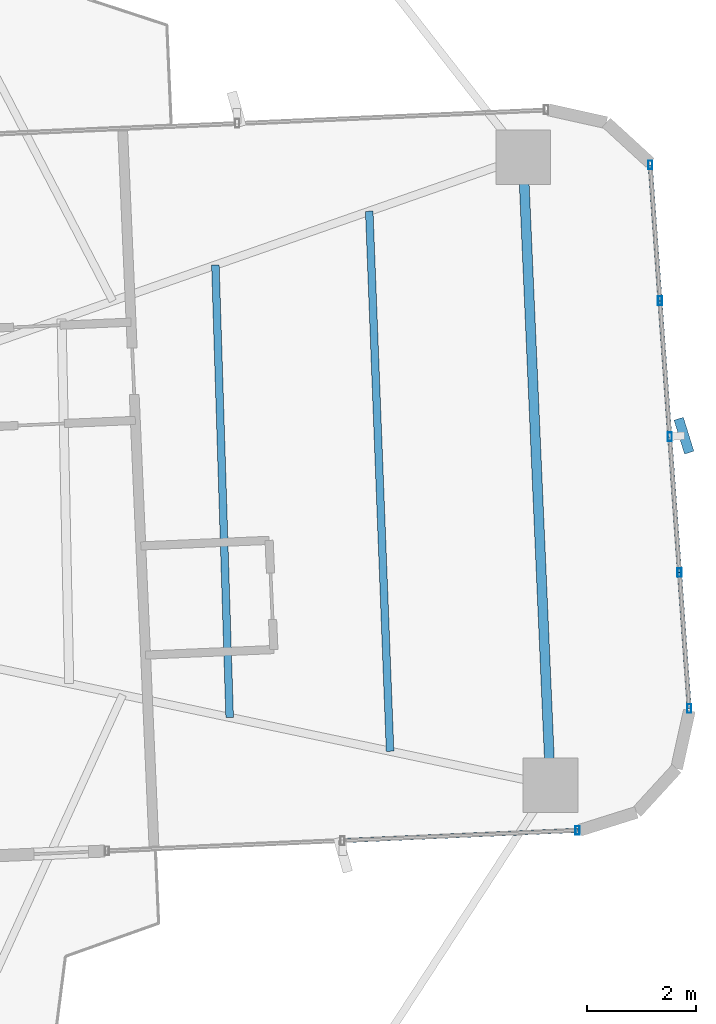
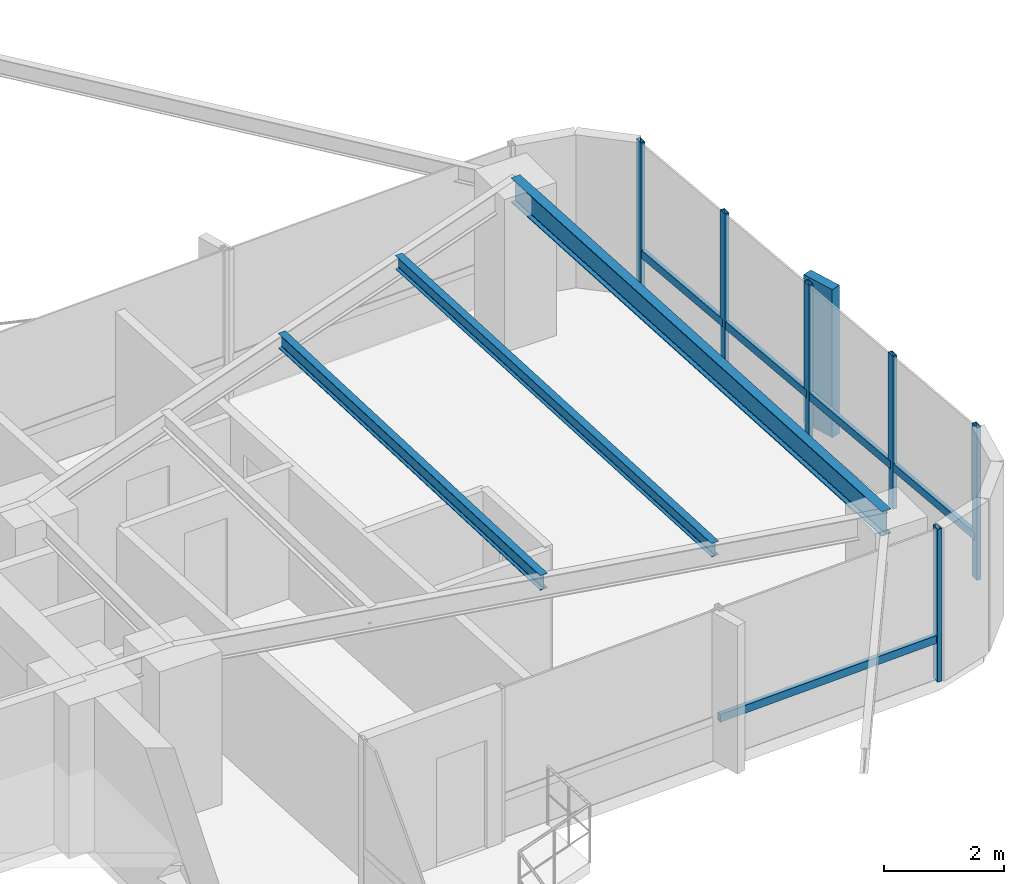
# One storey, part 15 of 26: 12 members, 3 beams, 2 elements without a shape of their own.
"""IFC4 building model written with IfcOpenShell, lengths in metres."""

import ifcopenshell
import ifcopenshell.guid

model = None  # the IFC model being written
_history = None  # IfcOwnerHistory: only IFC2X3 demands one
_inside = {}  # id of a spatial element -> (the spatial element, [elements in it])
_under = {}  # id of a project, library or spatial element -> (it, [spatial elements below it])
_declared = {}  # id of a project -> (the project, [libraries it declares])
_typed = {}  # id of a type object -> (the type object, [elements of that type])
_made_of = {}  # id of a material, layer set ... -> (it, [elements and type objects made of it])


def new_model(schema):
    """Start an empty IFC model of exactly this schema.

    Asked for "IFC4X3", IfcOpenShell would pick the latest addendum, in which some entities
    have other attributes; the version numbers below select the first issue.
    IFC2X3 requires an IfcOwnerHistory on every rooted entity: one is made here for all.
    """
    global model, _history
    if schema == "IFC4X3":
        model = ifcopenshell.file(schema_version=(4, 3, 0, 0))
    else:
        model = ifcopenshell.file(schema=schema)
    _inside.clear()
    _under.clear()
    _declared.clear()
    _typed.clear()
    _made_of.clear()
    _history = None
    if model.schema == "IFC2X3":
        org = make("IfcOrganization", Name="unknown")
        user = make(
            "IfcPersonAndOrganization",
            ThePerson=make("IfcPerson", FamilyName="unknown"),
            TheOrganization=org,
        )
        app = make(
            "IfcApplication",
            ApplicationDeveloper=org,
            Version="unknown",
            ApplicationFullName="unknown",
            ApplicationIdentifier="unknown",
        )
        _history = make(
            "IfcOwnerHistory",
            OwningUser=user,
            OwningApplication=app,
            ChangeAction="ADDED",
            CreationDate=0,
        )
    return model


def make(cls, **values):
    """One entity of the class cls with the attributes given. An attribute that is None is left unset."""
    return model.create_entity(
        cls, **{name: value for name, value in values.items() if value is not None}
    )


def rooted(cls, **values):
    """An entity with a GlobalId (a new one), such as an element, a storey or a relation."""
    return make(cls, GlobalId=ifcopenshell.guid.new(), OwnerHistory=_history, **values)


def si_unit(unit_type, name, prefix=None):
    """IfcSIUnit, for example si_unit("LENGTHUNIT", "METRE", prefix="MILLI")."""
    return make("IfcSIUnit", UnitType=unit_type, Prefix=prefix, Name=name)


def assignment(units):
    """IfcUnitAssignment: the units of a project."""
    return None if units is None else make("IfcUnitAssignment", Units=units)


def point(xyz):
    """IfcCartesianPoint."""
    return None if xyz is None else make("IfcCartesianPoint", Coordinates=xyz)


def direction(xyz):
    """IfcDirection."""
    return None if xyz is None else make("IfcDirection", DirectionRatios=xyz)


def frame(location, z_axis=None, x_axis=None):
    """IfcAxis2Placement3D, a coordinate frame: its origin and axes. An axis left out is left unset."""
    return make(
        "IfcAxis2Placement3D",
        Location=point(location),
        Axis=direction(z_axis),
        RefDirection=direction(x_axis),
    )


def frame_2d(location, x_axis=None):
    """IfcAxis2Placement2D, a coordinate frame in the plane: its origin and x axis."""
    return make(
        "IfcAxis2Placement2D", Location=point(location), RefDirection=direction(x_axis)
    )


def origin():
    """The frame at (0, 0, 0) with its axes left unset."""
    return frame((0.0, 0.0, 0.0))


def origin_2d():
    """The frame at (0, 0) in the plane with its x axis left unset."""
    return frame_2d((0.0, 0.0))


def place(relative_to, where):
    """IfcLocalPlacement: puts the frame where relative to a parent placement (None: the world)."""
    return make(
        "IfcLocalPlacement", PlacementRelTo=relative_to, RelativePlacement=where
    )


def context(
    kind, dimensions, precision=None, world=None, true_north=None, identifier=None
):
    """IfcGeometricRepresentationContext, for example the 3D "Model" context."""
    return make(
        "IfcGeometricRepresentationContext",
        ContextIdentifier=identifier,
        ContextType=kind,
        CoordinateSpaceDimension=dimensions,
        Precision=precision,
        WorldCoordinateSystem=world,
        TrueNorth=true_north,
    )


def subcontext(parent, identifier, kind, view, scale=None):
    """IfcGeometricRepresentationSubContext, for example "Body" below "Model"."""
    return make(
        "IfcGeometricRepresentationSubContext",
        ContextIdentifier=identifier,
        ContextType=kind,
        ParentContext=parent,
        TargetScale=scale,
        TargetView=view,
    )


def project(units=None, contexts=None):
    """IfcProject with its units and contexts."""
    return rooted(
        "IfcProject",
        Name="project",
        RepresentationContexts=contexts,
        UnitsInContext=assignment(units),
    )


def spatial(cls, under=None, at=None, **own):
    """A site, building, storey or space (cls), placed at a placement, below another one or the project."""
    s = rooted(cls, ObjectPlacement=at, **own)
    if under is not None:
        _under.setdefault(under.id(), (under, []))[1].append(s)
    return s


def profile(cls, at=None, kind="AREA", **sizes):
    """A parametric profile (cls). Its sizes go by their IFC names, for example OverallWidth=200.0."""
    return make(cls, ProfileType=kind, Position=at, **sizes)


def rectangle(**sizes):
    """IfcRectangleProfileDef."""
    return profile("IfcRectangleProfileDef", **sizes)


def hollow_rectangle(**sizes):
    """IfcRectangleHollowProfileDef."""
    return profile("IfcRectangleHollowProfileDef", **sizes)


def i_section(**sizes):
    """IfcIShapeProfileDef."""
    return profile("IfcIShapeProfileDef", **sizes)


def extrude(swept, where, along, depth):
    """IfcExtrudedAreaSolid: the profile swept, set in the frame where, extruded along a direction by depth."""
    return make(
        "IfcExtrudedAreaSolid",
        SweptArea=swept,
        Position=where,
        ExtrudedDirection=direction(along),
        Depth=depth,
    )


def shape(context_of_items, identifier, shape_type, items):
    """IfcShapeRepresentation: the items that make up one representation, for example the "Body"."""
    return make(
        "IfcShapeRepresentation",
        ContextOfItems=context_of_items,
        RepresentationIdentifier=identifier,
        RepresentationType=shape_type,
        Items=items,
    )


def source(mapping_origin, context_of_items, identifier, shape_type, items):
    """IfcRepresentationMap: a shape defined once, which mapped items show again and again."""
    return make(
        "IfcRepresentationMap",
        MappingOrigin=mapping_origin,
        MappedRepresentation=shape(context_of_items, identifier, shape_type, items),
    )


def transform(
    local_origin,
    x_axis=None,
    y_axis=None,
    z_axis=None,
    scale=None,
    scale2=None,
    scale3=None,
    uniform=True,
):
    """IfcCartesianTransformationOperator3D, or its non-uniform kind. x_axis, y_axis, z_axis: its Axis1, 2, 3."""
    if uniform:
        return make(
            "IfcCartesianTransformationOperator3D",
            Axis1=direction(x_axis),
            Axis2=direction(y_axis),
            LocalOrigin=point(local_origin),
            Scale=scale,
            Axis3=direction(z_axis),
        )
    return make(
        "IfcCartesianTransformationOperator3DnonUniform",
        Axis1=direction(x_axis),
        Axis2=direction(y_axis),
        LocalOrigin=point(local_origin),
        Scale=scale,
        Axis3=direction(z_axis),
        Scale2=scale2,
        Scale3=scale3,
    )


def mapped(mapping_source, mapping_target):
    """IfcMappedItem: shows the shape of a source again, moved by a transform."""
    return make(
        "IfcMappedItem", MappingSource=mapping_source, MappingTarget=mapping_target
    )


def material(Name=None, Category=None):
    """IfcMaterial."""
    return make("IfcMaterial", Name=Name, Category=Category)


def material_profile(
    of_material, cross_section, Name=None, Category=None, Priority=None
):
    """IfcMaterialProfile: a cross section and its material."""
    return make(
        "IfcMaterialProfile",
        Name=Name,
        Material=of_material,
        Profile=cross_section,
        Priority=Priority,
        Category=Category,
    )


def profile_set(profiles, Name=None, composite=None):
    """IfcMaterialProfileSet."""
    return make(
        "IfcMaterialProfileSet",
        Name=Name,
        MaterialProfiles=profiles,
        CompositeProfile=composite,
    )


def made_of(thing, what):
    """Note that an element or type object is made of a material, layer set ...; save() writes the relation."""
    if what is not None:
        _made_of.setdefault(what.id(), (what, []))[1].append(thing)
    return thing


def type_object(cls, material=None, **own):
    """A type object (cls), such as IfcWallType, which elements share."""
    return made_of(rooted(cls, **own), material)


def element(
    cls,
    number,
    at=None,
    inside=None,
    cuts=None,
    type_object=None,
    material=None,
    context=None,
    identifier="Body",
    shape_type=None,
    held_by="IfcProductDefinitionShape",
    body=None,
    shapes=None,
    **own,
):
    """One element of the class cls, such as IfcWall. Its Tag is "e" and its number.

    at: its placement. inside: the storey or other place that contains it. cuts: it is an
    opening in that element (IfcRelVoidsElement). A single representation is given by context,
    identifier, shape_type and body (its items); several are given by shapes. held_by: the class
    of the entity that holds the representations. save() writes the other relations.
    """
    e = rooted(cls, Tag="e%d" % number, ObjectPlacement=at, **own)
    if body is not None:
        shapes = [shape(context, identifier, shape_type, body)]
    if shapes is not None:
        e.Representation = make(held_by, Representations=shapes)
    if inside is not None:
        _inside.setdefault(inside.id(), (inside, []))[1].append(e)
    if cuts is not None:
        rooted(
            "IfcRelVoidsElement", RelatingBuildingElement=cuts, RelatedOpeningElement=e
        )
    if type_object is not None:
        _typed.setdefault(type_object.id(), (type_object, []))[1].append(e)
    return made_of(e, material)


def aggregate(whole, parts):
    """IfcRelAggregates: a whole, such as a stair, and the parts it consists of."""
    return rooted("IfcRelAggregates", RelatingObject=whole, RelatedObjects=parts)


def save(model, path):
    """Write the relations noted so far, then the file.

    IfcRelAggregates (storeys below a building ...), IfcRelContainedInSpatialStructure (elements
    in a storey), IfcRelDefinesByType, IfcRelAssociatesMaterial and IfcRelDeclares: one each for
    every whole, place, type object, material and project.
    """
    for whole, parts in _under.values():
        aggregate(whole, parts)
    for where, things in _inside.values():
        rooted(
            "IfcRelContainedInSpatialStructure",
            RelatedElements=things,
            RelatingStructure=where,
        )
    for kind, things in _typed.values():
        rooted("IfcRelDefinesByType", RelatedObjects=things, RelatingType=kind)
    for what, things in _made_of.values():
        rooted("IfcRelAssociatesMaterial", RelatedObjects=things, RelatingMaterial=what)
    for by, libraries in _declared.values():
        rooted("IfcRelDeclares", RelatingContext=by, RelatedDefinitions=libraries)
    model.write(path)


model = new_model("IFC4")

# Units and contexts
model_context = context("Model", 3, precision=1e-05, world=origin(), true_north=direction((0.0, 1.0)))
body_context = subcontext(model_context, "Body", "Model", "MODEL_VIEW")
ifc_project = project(units=[si_unit("LENGTHUNIT", "METRE"), si_unit("AREAUNIT", "SQUARE_METRE"), si_unit("VOLUMEUNIT", "CUBIC_METRE"), si_unit("PLANEANGLEUNIT", "RADIAN"), si_unit("MASSUNIT", "GRAM", prefix="KILO")], contexts=[model_context])

# Site, building, storey
site_placement = place(None, origin())
site = spatial("IfcSite", under=ifc_project, at=site_placement, CompositionType="ELEMENT")
building_placement = place(site_placement, origin())
building = spatial("IfcBuilding", under=site, at=building_placement, Name="Sahyath Konkavel Grand Hotel", CompositionType="ELEMENT")
storey_placement = place(building_placement, frame((0.0, 0.0, 86.85009765625)))
storey = spatial("IfcBuildingStorey", under=building, at=storey_placement, Name="L23", CompositionType="ELEMENT", Elevation=86.85009765625)

# Beams
ifc_material_1 = material(Name="Steel E350", Category="steel")
ifc_material_profile_1 = material_profile(ifc_material_1, i_section(OverallWidth=0.179931640625, OverallDepth=0.5, WebThickness=0.01025390625, FlangeThickness=0.01708984375, FilletRadius=0.01708984375, at=origin_2d()), Name="ISMB 500")
ifc_profile_set_1 = profile_set([ifc_material_profile_1], Name="Steel E350")
beam_type_1 = type_object("IfcBeamType", Name="BM-ISMB500", PredefinedType="BEAM", material=ifc_profile_set_1)
shared_shape_1 = source(origin(), body_context, "Body", "SweptSolid", [
    extrude(i_section(OverallWidth=0.179931640625, OverallDepth=0.5, WebThickness=0.01025390625, FlangeThickness=0.01708984375, FilletRadius=0.01708984375, at=origin_2d()), origin(), (0.0, 0.0, 1.0), 11.5),
])
beam_1_placement = place(storey_placement, frame((17.734130859375, -4.981201171875, 2.85986328125), z_axis=(-0.043627008892, 0.99904788879, 0.0), x_axis=(-0.99904788879, -0.043627008892, 0.0)))
element("IfcBeam", 1, at=beam_1_placement, inside=storey, type_object=beam_type_1, Name="L23 Wing Tip Edge Beam E", PredefinedType="BEAM", context=body_context, shape_type="MappedRepresentation", body=[
    mapped(shared_shape_1, transform((0.0, 0.0, 0.0), scale=1.0)),
])
ifc_material_profile_2 = material_profile(ifc_material_1, i_section(OverallWidth=0.139892578125, OverallDepth=0.300048828125, WebThickness=0.0078125, FlangeThickness=0.01318359375, FilletRadius=0.013916015625, at=origin_2d()), Name="ISMB 300")
ifc_profile_set_2 = profile_set([ifc_material_profile_2], Name="Steel E350")
beam_type_2 = type_object("IfcBeamType", Name="BM-ISMB300", PredefinedType="BEAM", material=ifc_profile_set_2)
shared_shape_2 = source(origin(), body_context, "Body", "SweptSolid", [
    extrude(i_section(OverallWidth=0.139892578125, OverallDepth=0.300048828125, WebThickness=0.0078125, FlangeThickness=0.01318359375, FilletRadius=0.013916015625, at=origin_2d()), origin(), (0.0, 0.0, 1.0), 8.282470703125),
])
beam_2_placement = place(storey_placement, frame((11.86181640625, -3.7421875, 2.9599609375), z_axis=(-0.031510827707, 0.999503410568, 0.0), x_axis=(-0.999503410568, -0.031510827707, 0.0)))
element("IfcBeam", 2, at=beam_2_placement, inside=storey, type_object=beam_type_2, Name="L23 Secondary Floor Beam E-2", PredefinedType="BEAM", context=body_context, shape_type="MappedRepresentation", body=[
    mapped(shared_shape_2, transform((0.0, 0.0, 0.0), scale=1.0)),
])
ifc_material_profile_3 = material_profile(ifc_material_1, i_section(OverallWidth=0.139892578125, OverallDepth=0.27490234375, WebThickness=0.00634765625, FlangeThickness=0.0087890625, FilletRadius=0.012939453125, at=origin_2d()), Name="ISLB 275")
ifc_profile_set_3 = profile_set([ifc_material_profile_3], Name="Steel E350")
beam_type_3 = type_object("IfcBeamType", Name="BM-ISLB275", PredefinedType="BEAM", material=ifc_profile_set_3)
shared_shape_3 = source(origin(), body_context, "Body", "SweptSolid", [
    extrude(i_section(OverallWidth=0.139892578125, OverallDepth=0.27490234375, WebThickness=0.00634765625, FlangeThickness=0.0087890625, FilletRadius=0.012939453125, at=origin_2d()), origin(), (0.0, 0.0, 1.0), 9.89111328125),
])
beam_3_placement = place(storey_placement, frame((14.798095703125, -4.36181640625, 2.972412109375), z_axis=(-0.03855445741, 0.999256500511, 0.0), x_axis=(-0.999256500511, -0.03855445741, 0.0)))
element("IfcBeam", 3, at=beam_3_placement, inside=storey, type_object=beam_type_3, Name="L23 Secondary Floor Beam E-3", PredefinedType="BEAM", context=body_context, shape_type="MappedRepresentation", body=[
    mapped(shared_shape_3, transform((0.0, 0.0, 0.0), scale=1.0)),
])

# Curtain wall, member
ifc_material_2 = material(Name="Anodised Bronze Aluminium & Low-E Glazing", Category="aluminium")
curtain_wall_type = type_object("IfcCurtainWallType", Name="CW-ZONE2", PredefinedType="NOTDEFINED", material=ifc_material_2)
curtain_wall_1_placement = place(storey_placement, origin())
curtain_wall_1 = element("IfcCurtainWall", 4, at=curtain_wall_1_placement, inside=storey, type_object=curtain_wall_type, Name="L23 Unitised Curtain Wall F0", PredefinedType="NOTDEFINED")
ifc_material_3 = material(Name="Anodised Bronze Aluminium", Category="aluminium")
ifc_material_profile_4 = material_profile(ifc_material_3, hollow_rectangle(XDim=0.080078125, YDim=0.159912109375, WallThickness=0.006103515625, at=origin_2d()), Name="RHS 160x80x6")
ifc_profile_set_4 = profile_set([ifc_material_profile_4], Name="Anodised Bronze Aluminium")
member_type_1 = type_object("IfcMemberType", Name="CW-MUL-160", PredefinedType="MULLION", material=ifc_profile_set_4)
shared_shape_4 = source(origin(), body_context, "Body", "SweptSolid", [
    extrude(hollow_rectangle(XDim=0.080078125, YDim=0.159912109375, WallThickness=0.006103515625, at=origin_2d()), origin(), (0.0, 0.0, 1.0), 3.10986328125),
])
member_1_placement = place(storey_placement, frame((18.230712890625, -5.810302734375, 0.0), z_axis=(0.0, 0.0, 1.0), x_axis=(1.0, 0.0, 0.0)))
member_1 = element("IfcMember", 5, at=member_1_placement, type_object=member_type_1, Name="L23 Curtain Wall Mullion F0-2", PredefinedType="MULLION", context=body_context, shape_type="MappedRepresentation", body=[
    mapped(shared_shape_4, transform((0.0, 0.0, 0.0), scale=1.0)),
])

# Curtain wall, members
curtain_wall_2_placement = place(storey_placement, origin())
curtain_wall_2 = element("IfcCurtainWall", 6, at=curtain_wall_2_placement, inside=storey, type_object=curtain_wall_type, Name="L23 Unitised Curtain Wall F4", PredefinedType="NOTDEFINED")
member_2_placement = place(storey_placement, frame((20.2744140625, -3.5791015625, 0.0), z_axis=(0.0, 0.0, 1.0), x_axis=(1.0, 0.0, 0.0)))
member_2 = element("IfcMember", 7, at=member_2_placement, type_object=member_type_1, Name="L23 Curtain Wall Mullion F4-0", PredefinedType="MULLION", context=body_context, shape_type="MappedRepresentation", body=[
    mapped(shared_shape_4, transform((0.0, 0.0, 0.0), scale=1.0)),
])
member_3_placement = place(storey_placement, frame((20.095947265625, -1.092041015625, 0.0), z_axis=(0.0, 0.0, 1.0), x_axis=(1.0, 0.0, 0.0)))
member_3 = element("IfcMember", 8, at=member_3_placement, type_object=member_type_1, Name="L23 Curtain Wall Mullion F4-1", PredefinedType="MULLION", context=body_context, shape_type="MappedRepresentation", body=[
    mapped(shared_shape_4, transform((0.0, 0.0, 0.0), scale=1.0)),
])
member_4_placement = place(storey_placement, frame((19.91748046875, 1.39501953125, 0.0), z_axis=(0.0, 0.0, 1.0), x_axis=(1.0, 0.0, 0.0)))
member_4 = element("IfcMember", 9, at=member_4_placement, type_object=member_type_1, Name="L23 Curtain Wall Mullion F4-2", PredefinedType="MULLION", context=body_context, shape_type="MappedRepresentation", body=[
    mapped(shared_shape_4, transform((0.0, 0.0, 0.0), scale=1.0)),
])
member_5_placement = place(storey_placement, frame((19.739013671875, 3.882080078125, 0.0), z_axis=(0.0, 0.0, 1.0), x_axis=(1.0, 0.0, 0.0)))
member_5 = element("IfcMember", 10, at=member_5_placement, type_object=member_type_1, Name="L23 Curtain Wall Mullion F4-3", PredefinedType="MULLION", context=body_context, shape_type="MappedRepresentation", body=[
    mapped(shared_shape_4, transform((0.0, 0.0, 0.0), scale=1.0)),
])
member_6_placement = place(storey_placement, frame((19.560546875, 6.369384765625, 0.0), z_axis=(0.0, 0.0, 1.0), x_axis=(1.0, 0.0, 0.0)))
member_6 = element("IfcMember", 11, at=member_6_placement, type_object=member_type_1, Name="L23 Curtain Wall Mullion F4-4", PredefinedType="MULLION", context=body_context, shape_type="MappedRepresentation", body=[
    mapped(shared_shape_4, transform((0.0, 0.0, 0.0), scale=1.0)),
])
ifc_material_4 = material(Name="Warm Buff Sandstone Cladding on Concrete C50/60", Category="masonry")
ifc_material_profile_5 = material_profile(ifc_material_4, rectangle(XDim=0.179931640625, YDim=0.64990234375, at=origin_2d()), Name="FIN 180x650")
ifc_profile_set_5 = profile_set([ifc_material_profile_5], Name="Warm Buff Sandstone Cladding on Concrete C50/60")
member_type_2 = type_object("IfcMemberType", Name="FIN-SANDSTONE-650", PredefinedType="MULLION", material=ifc_profile_set_5)
shared_shape_5 = source(origin(), body_context, "Body", "SweptSolid", [
    extrude(rectangle(XDim=0.179931640625, YDim=0.64990234375, at=origin_2d()), origin(), (0.0, 0.0, 1.0), 3.010009765625),
])
member_7_placement = place(storey_placement, frame((20.1767578125, 1.413818359375, 0.0498046875), z_axis=(0.0, 0.0, 1.0), x_axis=(0.954812686667, 0.297208232354, 0.0)))
member_7 = element("IfcMember", 12, at=member_7_placement, type_object=member_type_2, Name="L23 Sandstone Vertical Solar Fin FIN F4-2", PredefinedType="MULLION", context=body_context, shape_type="MappedRepresentation", body=[
    mapped(shared_shape_5, transform((0.0, 0.0, 0.0), scale=1.0)),
])

# Member
ifc_material_profile_6 = material_profile(ifc_material_3, hollow_rectangle(XDim=0.080078125, YDim=0.159912109375, WallThickness=0.006103515625, at=origin_2d()), Name="RHS 160x80x6")
ifc_profile_set_6 = profile_set([ifc_material_profile_6], Name="Anodised Bronze Aluminium")
member_type_3 = type_object("IfcMemberType", Name="CW-TRN-160", PredefinedType="USERDEFINED", material=ifc_profile_set_6)
shared_shape_6 = source(origin(), body_context, "Body", "SweptSolid", [
    extrude(hollow_rectangle(XDim=0.080078125, YDim=0.159912109375, WallThickness=0.006103515625, at=origin_2d()), origin(), (0.0, 0.0, 1.0), 4.31005859375),
])
member_8_placement = place(storey_placement, frame((13.9248046875, -5.998291015625, 0.849853515625), z_axis=(0.999048340188, 0.043616670746, 0.0), x_axis=(-0.043616670746, 0.999048340188, 0.0)))
member_8 = element("IfcMember", 13, at=member_8_placement, type_object=member_type_3, Name="L23 Curtain Wall Transom F0-1-spandrel", ObjectType="TRANSOM", PredefinedType="USERDEFINED", context=body_context, shape_type="MappedRepresentation", body=[
    mapped(shared_shape_6, transform((0.0, 0.0, 0.0), scale=1.0)),
])

aggregate(curtain_wall_1, [member_1, member_8])

shared_shape_7 = source(origin(), body_context, "Body", "SweptSolid", [
    extrude(hollow_rectangle(XDim=0.080078125, YDim=0.159912109375, WallThickness=0.006103515625, at=origin_2d()), origin(), (0.0, 0.0, 1.0), 2.493408203125),
])
member_9_placement = place(storey_placement, frame((20.2744140625, -3.5791015625, 0.849853515625), z_axis=(-0.071574084062, 0.997435286367, 0.0), x_axis=(-0.997435286367, -0.071574084062, 0.0)))
member_9 = element("IfcMember", 14, at=member_9_placement, type_object=member_type_3, Name="L23 Curtain Wall Transom F4-0-spandrel", ObjectType="TRANSOM", PredefinedType="USERDEFINED", context=body_context, shape_type="MappedRepresentation", body=[
    mapped(shared_shape_7, transform((0.0, 0.0, 0.0), scale=1.0)),
])

member_10_placement = place(storey_placement, frame((20.095947265625, -1.092041015625, 0.849853515625), z_axis=(-0.071574084062, 0.997435286367, 0.0), x_axis=(-0.997435286367, -0.071574084062, 0.0)))
member_10 = element("IfcMember", 15, at=member_10_placement, type_object=member_type_3, Name="L23 Curtain Wall Transom F4-1-spandrel", ObjectType="TRANSOM", PredefinedType="USERDEFINED", context=body_context, shape_type="MappedRepresentation", body=[
    mapped(shared_shape_7, transform((0.0, 0.0, 0.0), scale=1.0)),
])

member_11_placement = place(storey_placement, frame((19.91748046875, 1.39501953125, 0.849853515625), z_axis=(-0.071574084062, 0.997435286367, 0.0), x_axis=(-0.997435286367, -0.071574084062, 0.0)))
member_11 = element("IfcMember", 16, at=member_11_placement, type_object=member_type_3, Name="L23 Curtain Wall Transom F4-2-spandrel", ObjectType="TRANSOM", PredefinedType="USERDEFINED", context=body_context, shape_type="MappedRepresentation", body=[
    mapped(shared_shape_7, transform((0.0, 0.0, 0.0), scale=1.0)),
])

shared_shape_8 = source(origin(), body_context, "Body", "SweptSolid", [
    extrude(hollow_rectangle(XDim=0.080078125, YDim=0.159912109375, WallThickness=0.006103515625, at=origin_2d()), origin(), (0.0, 0.0, 1.0), 2.49365234375),
])
member_12_placement = place(storey_placement, frame((19.739013671875, 3.882080078125, 0.849853515625), z_axis=(-0.071567094714, 0.997435787885, 0.0), x_axis=(-0.997435787885, -0.071567094714, 0.0)))
member_12 = element("IfcMember", 17, at=member_12_placement, type_object=member_type_3, Name="L23 Curtain Wall Transom F4-3-spandrel", ObjectType="TRANSOM", PredefinedType="USERDEFINED", context=body_context, shape_type="MappedRepresentation", body=[
    mapped(shared_shape_8, transform((0.0, 0.0, 0.0), scale=1.0)),
])

aggregate(curtain_wall_2, [member_2, member_3, member_4, member_7, member_5, member_6, member_9, member_10, member_11, member_12])

save(model, "model.ifc")
